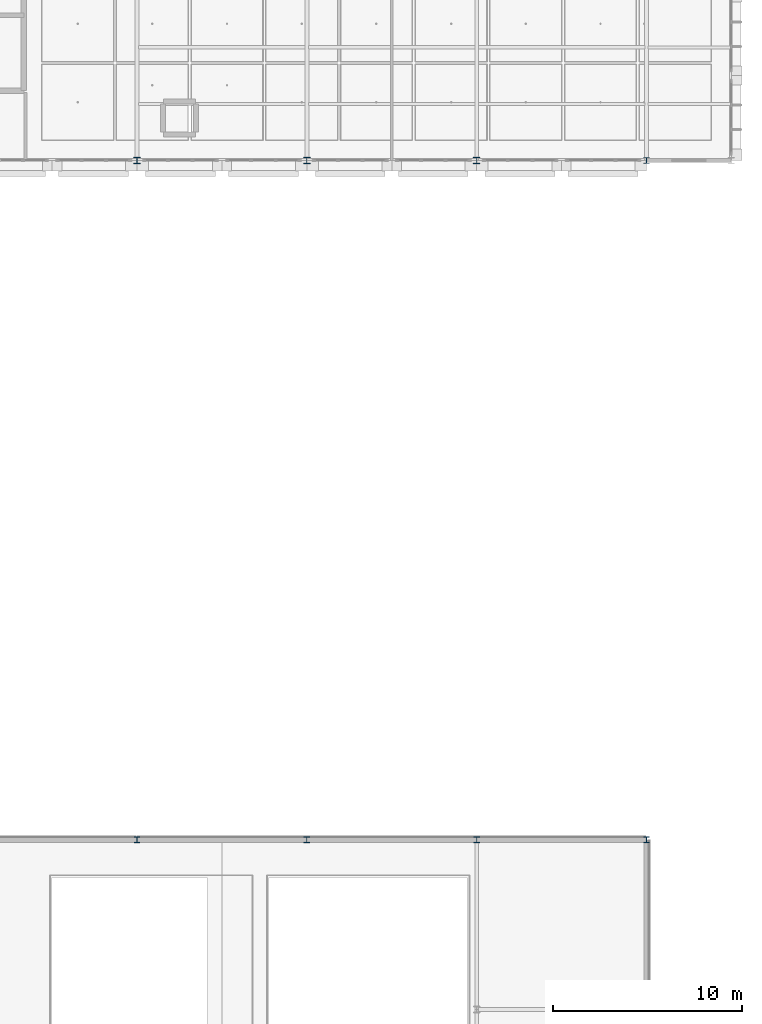
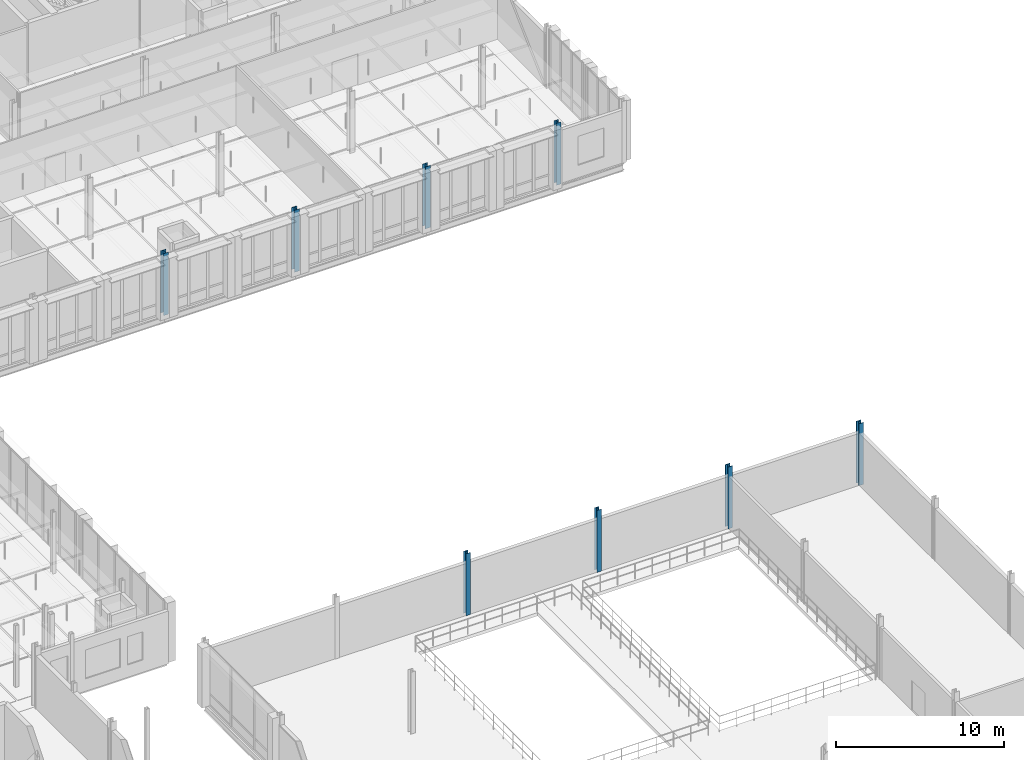
# One storey, part 20 of 130: 8 columns.
"""IFC4 building model written with IfcOpenShell, lengths in metres."""

from ifc_helpers import new_model, si_unit, direction, frame, origin, origin_2d, place, context, subcontext, project, spatial, i_section, extrude, material, material_profile, profile_set, type_object, element, save


model = new_model("IFC4")

# Units and contexts
model_context = context("Model", 3, precision=1e-05, world=origin(), true_north=direction((0.0, 1.0)))
body_context = subcontext(model_context, "Body", "Model", "MODEL_VIEW")
ifc_project = project(units=[si_unit("LENGTHUNIT", "METRE"), si_unit("AREAUNIT", "SQUARE_METRE"), si_unit("VOLUMEUNIT", "CUBIC_METRE"), si_unit("PLANEANGLEUNIT", "RADIAN"), si_unit("MASSUNIT", "GRAM", prefix="KILO"), si_unit("THERMODYNAMICTEMPERATUREUNIT", "KELVIN"), si_unit("POWERUNIT", "WATT")], contexts=[model_context])

# Site, building, storey
site_placement = place(None, origin())
site = spatial("IfcSite", under=ifc_project, at=site_placement, CompositionType="ELEMENT")
building_placement = place(site_placement, origin())
building = spatial("IfcBuilding", under=site, at=building_placement, Name="Tallowbark Science Centre", CompositionType="ELEMENT")
storey_placement = place(building_placement, frame((0.0, 0.0, 5.39990234375)))
storey = spatial("IfcBuildingStorey", under=building, at=storey_placement, Name="L01", CompositionType="ELEMENT", Elevation=5.39990234375)

# Columns
ifc_material = material(Name="Structural Steel Grade 300PLUS (300 MPa)", Category="steel")
ifc_material_profile_1 = material_profile(ifc_material, i_section(OverallWidth=0.311279296875, OverallDepth=0.3271484375, WebThickness=0.015625, FlangeThickness=0.02490234375, FilletRadius=0.0166015625, at=origin_2d()), Name="310UC158")
ifc_profile_set_1 = profile_set([ifc_material_profile_1], Name="Structural Steel Grade 300PLUS (300 MPa)")
column_type_1 = type_object("IfcColumnType", Name="COL-UC310A", PredefinedType="COLUMN", material=ifc_profile_set_1)
for number, where, z_axis, x_axis, name in (
    (1, (130.5, 36.0, 0.0), (0.0, 0.0, 1.0), (1.0, 0.0, 0.0), "Column THT-M2_4 L01"),
    (2, (139.5, 36.0, 0.0), (0.0, 0.0, 1.0), (1.0, 0.0, 0.0), "Column THT-M3_4 L01"),
    (3, (148.5, 36.0, 0.0), (0.0, 0.0, 1.0), (1.0, 0.0, 0.0), "Column THT-M4_4 L01"),
    (4, (157.5, 36.0, 0.0), (0.0, 0.0, 1.0), (1.0, 0.0, 0.0), "Column THT-M5_4 L01"),
):
    element("IfcColumn", number, at=place(storey_placement, frame(where, z_axis=z_axis, x_axis=x_axis)), inside=storey, type_object=column_type_1, Name=name, PredefinedType="COLUMN", context=body_context, shape_type="SweptSolid", body=[
        extrude(i_section(OverallWidth=0.311279296875, OverallDepth=0.3271484375, WebThickness=0.015625, FlangeThickness=0.02490234375, FilletRadius=0.0166015625, at=origin_2d()), origin(), (0.0, 0.0, 1.0), 4.5),
    ])
ifc_material_profile_2 = material_profile(ifc_material, i_section(OverallWidth=0.307373046875, OverallDepth=0.314697265625, WebThickness=0.011962890625, FlangeThickness=0.018798828125, FilletRadius=0.0166015625, at=origin_2d()), Name="310UC118")
ifc_profile_set_2 = profile_set([ifc_material_profile_2], Name="Structural Steel Grade 300PLUS (300 MPa)")
column_type_2 = type_object("IfcColumnType", Name="COL-UC310C", PredefinedType="COLUMN", material=ifc_profile_set_2)
column_placement = place(storey_placement, frame((157.5, 72.0, 0.0), z_axis=(0.0, 0.0, 1.0), x_axis=(1.0, 0.0, 0.0)))
element("IfcColumn", 5, at=column_placement, inside=storey, type_object=column_type_2, Name="Column OBS-5_0 L01", PredefinedType="COLUMN", context=body_context, shape_type="SweptSolid", body=[
    extrude(i_section(OverallWidth=0.307373046875, OverallDepth=0.314697265625, WebThickness=0.011962890625, FlangeThickness=0.018798828125, FilletRadius=0.0166015625, at=origin_2d()), origin(), (0.0, 0.0, 1.0), 4.5),
])
ifc_material_profile_3 = material_profile(ifc_material, i_section(OverallWidth=0.35009765625, OverallDepth=0.35888671875, WebThickness=0.01611328125, FlangeThickness=0.02392578125, FilletRadius=0.013916015625, at=origin_2d()), Name="350WC197")
ifc_profile_set_3 = profile_set([ifc_material_profile_3], Name="Structural Steel Grade 300PLUS (300 MPa)")
column_type_3 = type_object("IfcColumnType", Name="COL-WC350", PredefinedType="COLUMN", material=ifc_profile_set_3)
for number, where, z_axis, x_axis, name in (
    (6, (130.5, 72.0, 0.0), (0.0, 0.0, 1.0), (1.0, 0.0, 0.0), "Column OBS-2_0 L01"),
    (7, (139.5, 72.0, 0.0), (0.0, 0.0, 1.0), (1.0, 0.0, 0.0), "Column OBS-3_0 L01"),
    (8, (148.5, 72.0, 0.0), (0.0, 0.0, 1.0), (1.0, 0.0, 0.0), "Column OBS-4_0 L01"),
):
    element("IfcColumn", number, at=place(storey_placement, frame(where, z_axis=z_axis, x_axis=x_axis)), inside=storey, type_object=column_type_3, Name=name, PredefinedType="COLUMN", context=body_context, shape_type="SweptSolid", body=[
        extrude(i_section(OverallWidth=0.35009765625, OverallDepth=0.35888671875, WebThickness=0.01611328125, FlangeThickness=0.02392578125, FilletRadius=0.013916015625, at=origin_2d()), origin(), (0.0, 0.0, 1.0), 4.5),
    ])

save(model, "model.ifc")
